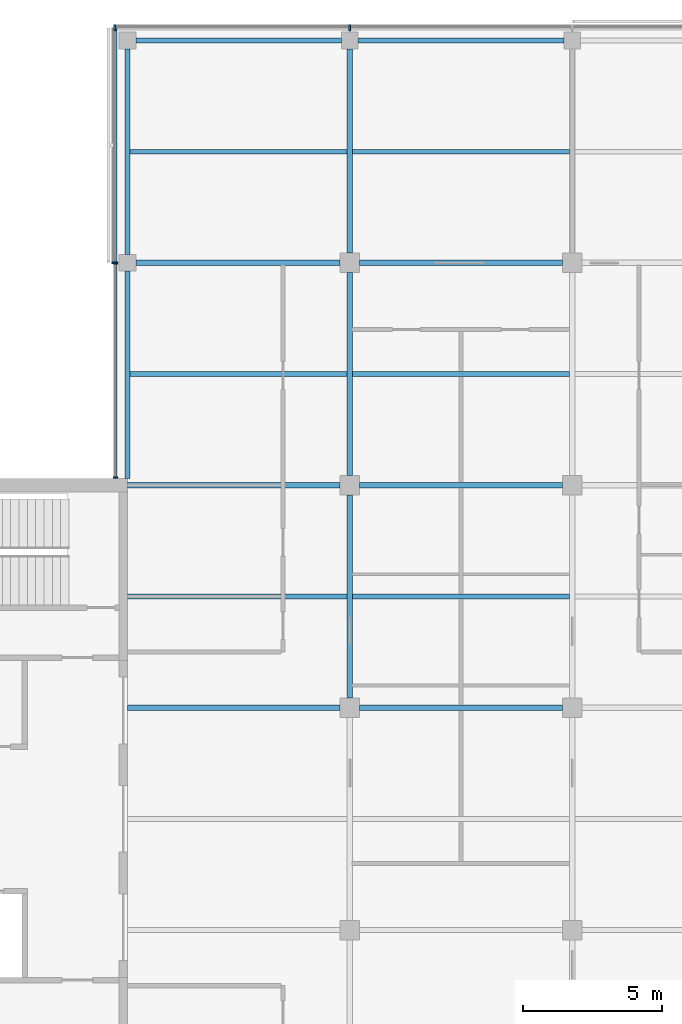
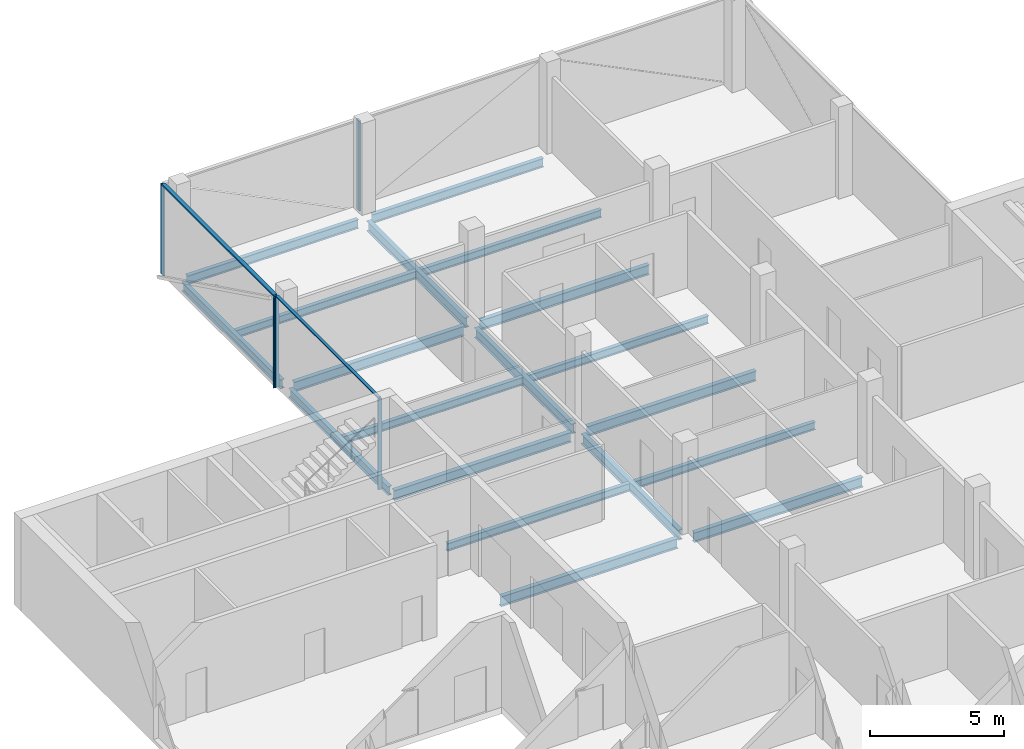
# One storey, part 5 of 16: 19 beams, 7 members, 3 elements without a shape of their own.
"""IFC4 building model written with IfcOpenShell, lengths in metres."""

from ifc_helpers import new_model, si_unit, direction, frame, origin, origin_2d, place, context, subcontext, project, spatial, rectangle, i_section, extrude, material, material_profile, profile_set, type_object, element, aggregate, save


model = new_model("IFC4")

# Units and contexts
model_context = context("Model", 3, precision=1e-05, world=origin(), true_north=direction((0.0, 1.0)))
body_context = subcontext(model_context, "Body", "Model", "MODEL_VIEW")
ifc_project = project(units=[si_unit("LENGTHUNIT", "METRE"), si_unit("AREAUNIT", "SQUARE_METRE"), si_unit("VOLUMEUNIT", "CUBIC_METRE"), si_unit("PLANEANGLEUNIT", "RADIAN"), si_unit("MASSUNIT", "GRAM", prefix="KILO")], contexts=[model_context])

# Site, building, storey
site_placement = place(None, origin())
site = spatial("IfcSite", under=ifc_project, at=site_placement, CompositionType="ELEMENT")
building_placement = place(site_placement, origin())
building = spatial("IfcBuilding", under=site, at=building_placement, Name="Crosswind Convention Tower", CompositionType="ELEMENT")
storey_placement = place(building_placement, frame((0.0, 0.0, 270.300048828125)))
storey = spatial("IfcBuildingStorey", under=building, at=storey_placement, Name="L58", CompositionType="ELEMENT", Elevation=270.300048828125)

# Beams
ifc_material_1 = material(Name="Steel S355", Category="steel")
ifc_material_profile_1 = material_profile(ifc_material_1, i_section(OverallWidth=0.177734375, OverallDepth=0.406494140625, WebThickness=0.0078125, FlangeThickness=0.0126953125, FilletRadius=0.01025390625, at=origin_2d()), Name="UB 406x178x60")
ifc_profile_set_1 = profile_set([ifc_material_profile_1], Name="Steel S355")
beam_type_1 = type_object("IfcBeamType", Name="Edge beam UB 406x178x60", PredefinedType="SPANDREL", material=ifc_profile_set_1)
beam_1_placement = place(storey_placement, frame((113.0, 112.25, -0.503173828125), z_axis=(0.0, 1.0, 0.0), x_axis=(-1.0, 0.0, 0.0)))
element("IfcBeam", 1, at=beam_1_placement, inside=storey, type_object=beam_type_1, Name="B15 L58 edge beam 3", PredefinedType="SPANDREL", context=body_context, shape_type="SweptSolid", body=[
    extrude(i_section(OverallWidth=0.177734375, OverallDepth=0.406494140625, WebThickness=0.0078125, FlangeThickness=0.0126953125, FilletRadius=0.01025390625, at=origin_2d()), origin(), (0.0, 0.0, 1.0), 7.449951171875),
])
for number, where, z_axis, x_axis, name in (
    (2, (113.0, 120.300048828125, -0.503173828125), (0.0, 1.0, 0.0), (-1.0, 0.0, 0.0), "B15 L58 edge beam 4"),
    (3, (113.300048828125, 128.0, -0.503173828125), (1.0, 0.0, 0.0), (0.0, 1.0, 0.0), "B15 L58 edge beam 6"),
    (4, (121.300048828125, 128.0, -0.503173828125), (1.0, 0.0, 0.0), (0.0, 1.0, 0.0), "B15 L58 edge beam 8"),
):
    element("IfcBeam", number, at=place(storey_placement, frame(where, z_axis=z_axis, x_axis=x_axis)), inside=storey, type_object=beam_type_1, Name=name, PredefinedType="SPANDREL", context=body_context, shape_type="SweptSolid", body=[
        extrude(i_section(OverallWidth=0.177734375, OverallDepth=0.406494140625, WebThickness=0.0078125, FlangeThickness=0.0126953125, FilletRadius=0.01025390625, at=origin_2d()), origin(), (0.0, 0.0, 1.0), 7.39990234375),
    ])
ifc_material_profile_2 = material_profile(ifc_material_1, i_section(OverallWidth=0.18994140625, OverallDepth=0.45361328125, WebThickness=0.008544921875, FlangeThickness=0.0126953125, FilletRadius=0.01025390625, at=origin_2d()), Name="UB 457x191x67")
ifc_profile_set_2 = profile_set([ifc_material_profile_2], Name="Steel S355")
beam_type_2 = type_object("IfcBeamType", Name="Girder UB 457x191x67", PredefinedType="BEAM", material=ifc_profile_set_2)
beam_2_placement = place(storey_placement, frame((113.300048828125, 120.0, -0.52685546875), z_axis=(1.0, 0.0, 0.0), x_axis=(0.0, 1.0, 0.0)))
element("IfcBeam", 5, at=beam_2_placement, inside=storey, type_object=beam_type_2, Name="B1 L58 girder 2", PredefinedType="BEAM", context=body_context, shape_type="SweptSolid", body=[
    extrude(i_section(OverallWidth=0.18994140625, OverallDepth=0.45361328125, WebThickness=0.008544921875, FlangeThickness=0.0126953125, FilletRadius=0.01025390625, at=origin_2d()), origin(), (0.0, 0.0, 1.0), 7.349853515625),
])
for number, where, z_axis, x_axis, name in (
    (6, (121.0, 104.35009765625, -0.52685546875), (0.0, 1.0, 0.0), (-1.0, 0.0, 0.0), "B1 L58 girder 7"),
    (7, (121.0, 112.35009765625, -0.52685546875), (0.0, 1.0, 0.0), (-1.0, 0.0, 0.0), "B1 L58 girder 8"),
):
    element("IfcBeam", number, at=place(storey_placement, frame(where, z_axis=z_axis, x_axis=x_axis)), inside=storey, type_object=beam_type_2, Name=name, PredefinedType="BEAM", context=body_context, shape_type="SweptSolid", body=[
        extrude(i_section(OverallWidth=0.18994140625, OverallDepth=0.45361328125, WebThickness=0.008544921875, FlangeThickness=0.0126953125, FilletRadius=0.01025390625, at=origin_2d()), origin(), (0.0, 0.0, 1.0), 7.2998046875),
    ])
beam_3_placement = place(storey_placement, frame((121.0, 120.35009765625, -0.52685546875), z_axis=(0.0, 1.0, 0.0), x_axis=(-1.0, 0.0, 0.0)))
element("IfcBeam", 8, at=beam_3_placement, inside=storey, type_object=beam_type_2, Name="B1 L58 girder 9", PredefinedType="BEAM", context=body_context, shape_type="SweptSolid", body=[
    extrude(i_section(OverallWidth=0.18994140625, OverallDepth=0.45361328125, WebThickness=0.008544921875, FlangeThickness=0.0126953125, FilletRadius=0.01025390625, at=origin_2d()), origin(), (0.0, 0.0, 1.0), 7.349853515625),
])
for number, where, z_axis, x_axis, name in (
    (9, (121.35009765625, 104.0, -0.52685546875), (1.0, 0.0, 0.0), (0.0, 1.0, 0.0), "B1 L58 girder 13"),
    (10, (121.35009765625, 112.0, -0.52685546875), (1.0, 0.0, 0.0), (0.0, 1.0, 0.0), "B1 L58 girder 14"),
    (11, (121.35009765625, 120.0, -0.52685546875), (1.0, 0.0, 0.0), (0.0, 1.0, 0.0), "B1 L58 girder 15"),
):
    element("IfcBeam", number, at=place(storey_placement, frame(where, z_axis=z_axis, x_axis=x_axis)), inside=storey, type_object=beam_type_2, Name=name, PredefinedType="BEAM", context=body_context, shape_type="SweptSolid", body=[
        extrude(i_section(OverallWidth=0.18994140625, OverallDepth=0.45361328125, WebThickness=0.008544921875, FlangeThickness=0.0126953125, FilletRadius=0.01025390625, at=origin_2d()), origin(), (0.0, 0.0, 1.0), 7.2998046875),
    ])
ifc_material_profile_3 = material_profile(ifc_material_1, i_section(OverallWidth=0.1904296875, OverallDepth=0.457275390625, WebThickness=0.009033203125, FlangeThickness=0.014404296875, FilletRadius=0.01025390625, at=origin_2d()), Name="UB 457x191x75")
ifc_profile_set_3 = profile_set([ifc_material_profile_3], Name="Steel S355")
beam_type_3 = type_object("IfcBeamType", Name="Girder at core wall UB 457x191x75", PredefinedType="BEAM", material=ifc_profile_set_3)
for number, where, z_axis, x_axis, name in (
    (12, (113.0, 104.0, -0.528564453125), (1.0, 0.0, 0.0), (0.0, 1.0, 0.0), "B22 L58 girder at core wall 3"),
    (13, (113.0, 112.0, -0.528564453125), (1.0, 0.0, 0.0), (0.0, 1.0, 0.0), "B22 L58 girder at core wall 4"),
):
    element("IfcBeam", number, at=place(storey_placement, frame(where, z_axis=z_axis, x_axis=x_axis)), inside=storey, type_object=beam_type_3, Name=name, PredefinedType="BEAM", context=body_context, shape_type="SweptSolid", body=[
        extrude(i_section(OverallWidth=0.1904296875, OverallDepth=0.457275390625, WebThickness=0.009033203125, FlangeThickness=0.014404296875, FilletRadius=0.01025390625, at=origin_2d()), origin(), (0.0, 0.0, 1.0), 7.64990234375),
    ])

# Curtain wall, members
ifc_material_2 = material(Name="Aluminium unitised curtain wall", Category="aluminium")
curtain_wall_type_1 = type_object("IfcCurtainWallType", Name="CORE END SLOT WALL 160", PredefinedType="USERDEFINED", material=ifc_material_2)
curtain_wall_1_placement = place(storey_placement, origin())
curtain_wall_1 = element("IfcCurtainWall", 14, at=curtain_wall_1_placement, inside=storey, type_object=curtain_wall_type_1, Name="CW6 L58 N-W.1-2 slot", ObjectType="UNITISED", PredefinedType="USERDEFINED")
ifc_material_3 = material(Name="Aluminium mullion", Category="aluminium")
ifc_material_profile_4 = material_profile(ifc_material_3, rectangle(XDim=0.159912109375, YDim=0.050048828125, at=origin_2d()), Name="AL 160X50")
ifc_profile_set_4 = profile_set([ifc_material_profile_4], Name="Aluminium mullion")
member_type_1 = type_object("IfcMemberType", Name="MULLION 50X160", PredefinedType="MULLION", material=ifc_profile_set_4)
member_1_placement = place(storey_placement, frame((112.570068359375, 119.97509765625, -0.300048828125), z_axis=(0.0, 0.0, 1.0), x_axis=(-1.0, 0.0, 0.0)))
member_1 = element("IfcMember", 15, at=member_1_placement, type_object=member_type_1, Name="CW6 mullion 1", PredefinedType="MULLION", context=body_context, shape_type="SweptSolid", body=[
    extrude(rectangle(XDim=0.159912109375, YDim=0.050048828125, at=origin_2d()), origin(), (0.0, 0.0, 1.0), 4.14990234375),
])
member_2_placement = place(storey_placement, frame((112.570068359375, 112.27490234375, -0.300048828125), z_axis=(0.0, 0.0, 1.0), x_axis=(-1.0, 0.0, 0.0)))
member_2 = element("IfcMember", 16, at=member_2_placement, type_object=member_type_1, Name="CW6 mullion 2", PredefinedType="MULLION", context=body_context, shape_type="SweptSolid", body=[
    extrude(rectangle(XDim=0.159912109375, YDim=0.050048828125, at=origin_2d()), origin(), (0.0, 0.0, 1.0), 4.14990234375),
])

curtain_wall_type_2 = type_object("IfcCurtainWallType", Name="OFFICE UNITISED WALL 220", PredefinedType="USERDEFINED", material=ifc_material_2)
curtain_wall_2_placement = place(storey_placement, origin())
curtain_wall_2 = element("IfcCurtainWall", 17, at=curtain_wall_2_placement, inside=storey, type_object=curtain_wall_type_2, Name="CW3 L58 N-TIP 1", ObjectType="UNITISED", PredefinedType="USERDEFINED")
ifc_material_profile_5 = material_profile(ifc_material_3, rectangle(XDim=0.219970703125, YDim=0.070068359375, at=origin_2d()), Name="AL 220X70")
ifc_profile_set_5 = profile_set([ifc_material_profile_5], Name="Aluminium mullion")
member_type_2 = type_object("IfcMemberType", Name="MULLION 70X220", PredefinedType="MULLION", material=ifc_profile_set_5)
member_3_placement = place(storey_placement, frame((121.0, 128.4599609375, -0.300048828125), z_axis=(0.0, 0.0, 1.0), x_axis=(0.0, 1.0, 0.0)))
member_3 = element("IfcMember", 18, at=member_3_placement, type_object=member_type_2, Name="CW3 mullion 3", PredefinedType="MULLION", context=body_context, shape_type="SweptSolid", body=[
    extrude(rectangle(XDim=0.219970703125, YDim=0.070068359375, at=origin_2d()), origin(), (0.0, 0.0, 1.0), 4.1298828125),
])
member_4_placement = place(storey_placement, frame((112.5400390625, 128.4599609375, -0.300048828125), z_axis=(0.0, 0.0, 1.0), x_axis=(0.0, 1.0, 0.0)))
member_4 = element("IfcMember", 19, at=member_4_placement, type_object=member_type_2, Name="CW3 mullion 4", PredefinedType="MULLION", context=body_context, shape_type="SweptSolid", body=[
    extrude(rectangle(XDim=0.219970703125, YDim=0.070068359375, at=origin_2d()), origin(), (0.0, 0.0, 1.0), 4.1298828125),
])
aggregate(curtain_wall_2, [member_3, member_4])

# Curtain wall, member
curtain_wall_3_placement = place(storey_placement, origin())
curtain_wall_3 = element("IfcCurtainWall", 20, at=curtain_wall_3_placement, inside=storey, type_object=curtain_wall_type_2, Name="CW3 L58 N-W 1", ObjectType="UNITISED", PredefinedType="USERDEFINED")
member_5_placement = place(storey_placement, frame((112.5400390625, 120.0, -0.300048828125), z_axis=(0.0, 0.0, 1.0), x_axis=(-1.0, 0.0, 0.0)))
member_5 = element("IfcMember", 21, at=member_5_placement, type_object=member_type_2, Name="CW3 mullion 2", PredefinedType="MULLION", context=body_context, shape_type="SweptSolid", body=[
    extrude(rectangle(XDim=0.219970703125, YDim=0.070068359375, at=origin_2d()), origin(), (0.0, 0.0, 1.0), 4.1298828125),
])

# Beams
ifc_material_profile_6 = material_profile(ifc_material_1, i_section(OverallWidth=0.17138671875, OverallDepth=0.355712890625, WebThickness=0.00732421875, FlangeThickness=0.011474609375, FilletRadius=0.01025390625, at=origin_2d()), Name="UB 356x171x51")
ifc_profile_set_6 = profile_set([ifc_material_profile_6], Name="Steel S355")
beam_type_4 = type_object("IfcBeamType", Name="Secondary beam UB 356x171x51", PredefinedType="JOIST", material=ifc_profile_set_6)
beam_4_placement = place(storey_placement, frame((113.0, 108.0, -0.477783203125), z_axis=(1.0, 0.0, 0.0), x_axis=(0.0, 1.0, 0.0)))
element("IfcBeam", 22, at=beam_4_placement, inside=storey, type_object=beam_type_4, Name="B8 L58 secondary beam 3", PredefinedType="JOIST", context=body_context, shape_type="SweptSolid", body=[
    extrude(i_section(OverallWidth=0.17138671875, OverallDepth=0.355712890625, WebThickness=0.00732421875, FlangeThickness=0.011474609375, FilletRadius=0.01025390625, at=origin_2d()), origin(), (0.0, 0.0, 1.0), 7.905029296875),
])
for number, where, z_axis, x_axis, name in (
    (23, (113.0888671875, 116.0, -0.477783203125), (1.0, 0.0, 0.0), (0.0, 1.0, 0.0), "B8 L58 secondary beam 6"),
    (24, (113.0888671875, 124.0, -0.477783203125), (1.0, 0.0, 0.0), (0.0, 1.0, 0.0), "B8 L58 secondary beam 7"),
):
    element("IfcBeam", number, at=place(storey_placement, frame(where, z_axis=z_axis, x_axis=x_axis)), inside=storey, type_object=beam_type_4, Name=name, PredefinedType="JOIST", context=body_context, shape_type="SweptSolid", body=[
        extrude(i_section(OverallWidth=0.17138671875, OverallDepth=0.355712890625, WebThickness=0.00732421875, FlangeThickness=0.011474609375, FilletRadius=0.01025390625, at=origin_2d()), origin(), (0.0, 0.0, 1.0), 7.816162109375),
    ])
for number, where, z_axis, x_axis, name in (
    (25, (121.094970703125, 108.0, -0.477783203125), (1.0, 0.0, 0.0), (0.0, 1.0, 0.0), "B8 L58 secondary beam 12"),
    (26, (121.094970703125, 116.0, -0.477783203125), (1.0, 0.0, 0.0), (0.0, 1.0, 0.0), "B8 L58 secondary beam 13"),
    (27, (121.094970703125, 124.0, -0.477783203125), (1.0, 0.0, 0.0), (0.0, 1.0, 0.0), "B8 L58 secondary beam 14"),
):
    element("IfcBeam", number, at=place(storey_placement, frame(where, z_axis=z_axis, x_axis=x_axis)), inside=storey, type_object=beam_type_4, Name=name, PredefinedType="JOIST", context=body_context, shape_type="SweptSolid", body=[
        extrude(i_section(OverallWidth=0.17138671875, OverallDepth=0.355712890625, WebThickness=0.00732421875, FlangeThickness=0.011474609375, FilletRadius=0.01025390625, at=origin_2d()), origin(), (0.0, 0.0, 1.0), 7.81005859375),
    ])

# Member
ifc_material_4 = material(Name="Aluminium transom", Category="aluminium")
ifc_material_profile_7 = material_profile(ifc_material_4, rectangle(XDim=0.1201171875, YDim=0.050048828125, at=origin_2d()), Name="AL 120X50")
ifc_profile_set_7 = profile_set([ifc_material_profile_7], Name="Aluminium transom")
member_type_3 = type_object("IfcMemberType", Name="TRANSOM 50X120", PredefinedType="USERDEFINED", material=ifc_profile_set_7)
member_6_placement = place(storey_placement, frame((112.570068359375, 119.949951171875, 3.875), z_axis=(0.0, -1.0, 0.0), x_axis=(1.0, 0.0, 0.0)))
member_6 = element("IfcMember", 28, at=member_6_placement, type_object=member_type_3, Name="CW6 transom", ObjectType="TRANSOM", PredefinedType="USERDEFINED", context=body_context, shape_type="SweptSolid", body=[
    extrude(rectangle(XDim=0.1201171875, YDim=0.050048828125, at=origin_2d()), origin(), (0.0, 0.0, 1.0), 7.64990234375),
])

aggregate(curtain_wall_1, [member_1, member_2, member_6])

ifc_material_profile_8 = material_profile(ifc_material_4, rectangle(XDim=0.159912109375, YDim=0.070068359375, at=origin_2d()), Name="AL 160X70")
ifc_profile_set_8 = profile_set([ifc_material_profile_8], Name="Aluminium transom")
member_type_4 = type_object("IfcMemberType", Name="TRANSOM 70X160", PredefinedType="USERDEFINED", material=ifc_profile_set_8)
member_7_placement = place(storey_placement, frame((112.5400390625, 128.425048828125, 3.864990234375), z_axis=(0.0, -1.0, 0.0), x_axis=(1.0, 0.0, 0.0)))
member_7 = element("IfcMember", 29, at=member_7_placement, type_object=member_type_4, Name="CW3 transom", ObjectType="TRANSOM", PredefinedType="USERDEFINED", context=body_context, shape_type="SweptSolid", body=[
    extrude(rectangle(XDim=0.159912109375, YDim=0.070068359375, at=origin_2d()), origin(), (0.0, 0.0, 1.0), 8.39013671875),
])

aggregate(curtain_wall_3, [member_5, member_7])

save(model, "model.ifc")
